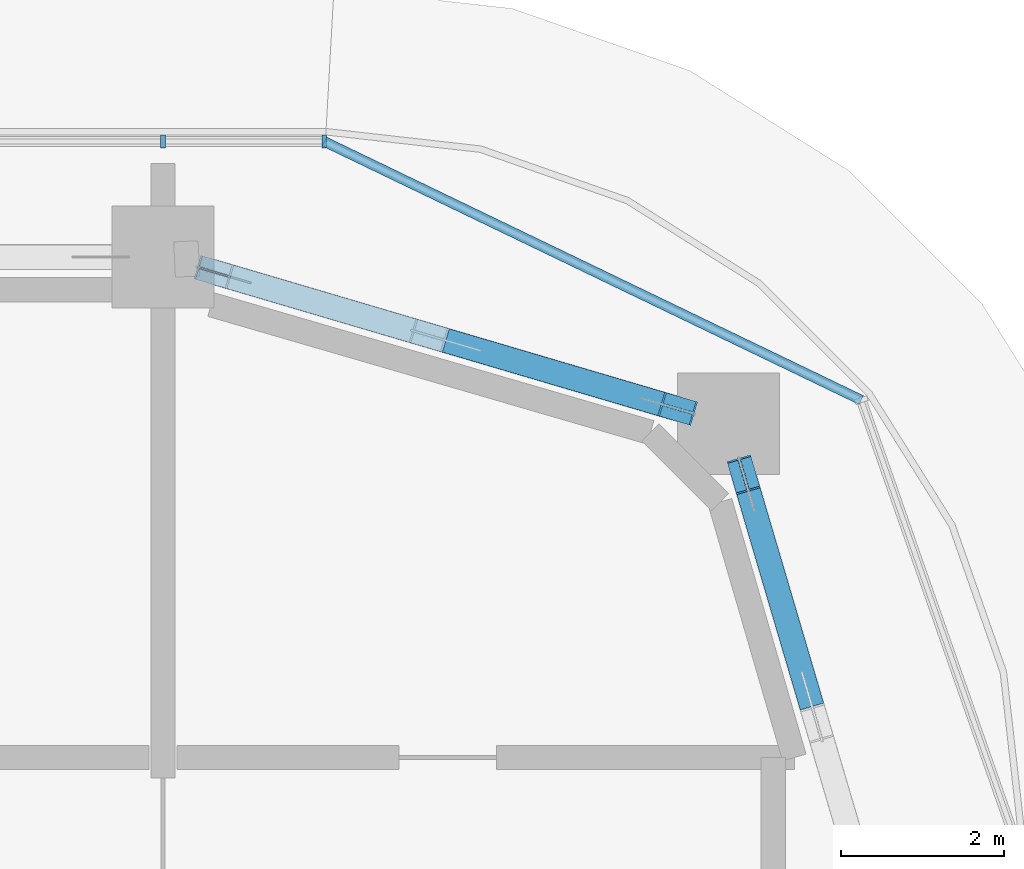
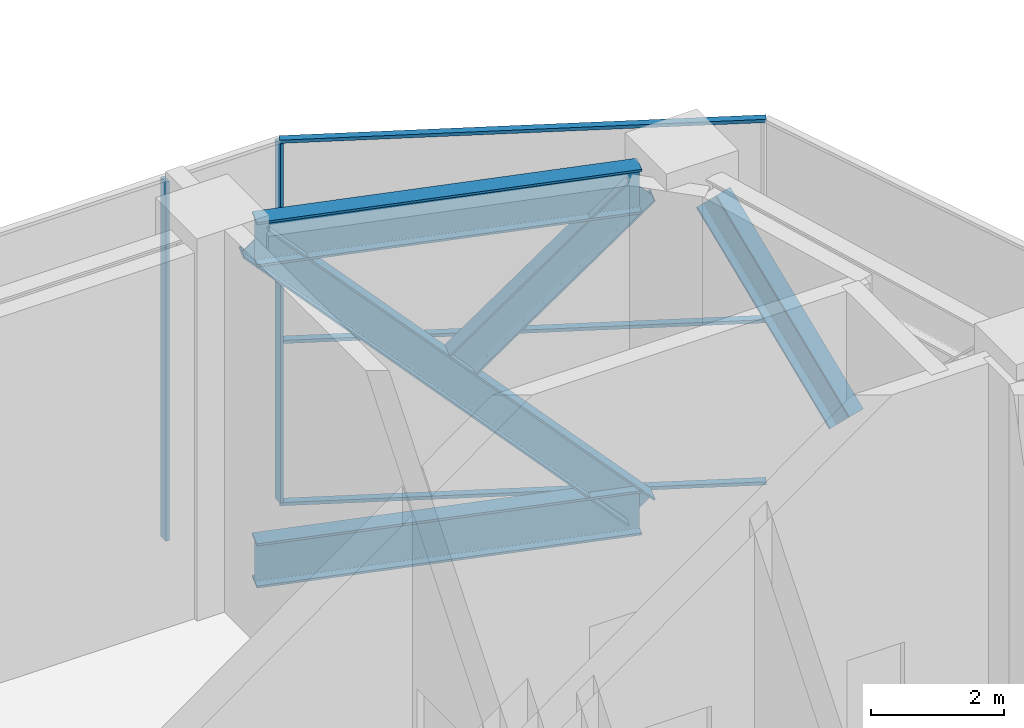
# One storey, part 9 of 35: 10 members, 2 elements without a shape of their own.
"""IFC4 building model written with IfcOpenShell, lengths in metres."""

from ifc_helpers import new_model, si_unit, direction, frame, origin, origin_2d, place, context, subcontext, project, spatial, rectangle, i_section, extrude, material, material_profile, profile_set, type_object, element, aggregate, save


model = new_model("IFC4")

# Units and contexts
model_context = context("Model", 3, precision=1e-05, world=origin(), true_north=direction((0.0, 1.0)))
body_context = subcontext(model_context, "Body", "Model", "MODEL_VIEW")
ifc_project = project(units=[si_unit("LENGTHUNIT", "METRE"), si_unit("AREAUNIT", "SQUARE_METRE"), si_unit("VOLUMEUNIT", "CUBIC_METRE"), si_unit("PLANEANGLEUNIT", "RADIAN"), si_unit("MASSUNIT", "GRAM", prefix="KILO")], contexts=[model_context])

# Site, building, storey
site_placement = place(None, origin())
site = spatial("IfcSite", under=ifc_project, at=site_placement, CompositionType="ELEMENT")
building_placement = place(site_placement, origin())
building = spatial("IfcBuilding", under=site, at=building_placement, Name="Ogive Portal Towers", CompositionType="ELEMENT")
storey_placement = place(building_placement, frame((0.0, 0.0, 135.199951171875)))
storey = spatial("IfcBuildingStorey", under=building, at=storey_placement, Name="L33", CompositionType="ELEMENT", Elevation=135.199951171875)

# Members
ifc_material_1 = material(Name="Steel S355", Category="steel")
ifc_material_profile_1 = material_profile(ifc_material_1, i_section(OverallWidth=0.300048828125, OverallDepth=0.60009765625, WebThickness=0.015380859375, FlangeThickness=0.030029296875, FilletRadius=0.027099609375, at=origin_2d()), Name="HEB 600")
ifc_profile_set_1 = profile_set([ifc_material_profile_1], Name="Steel S355")
member_type_1 = type_object("IfcMemberType", Name="BRACE HEB 600", PredefinedType="BRACE", material=ifc_profile_set_1)
member_1_placement = place(storey_placement, frame((93.414794921875, 34.179443359375, 3.56103515625), z_axis=(-0.200990623129, 0.681456317967, 0.70371873367), x_axis=(-0.959150984364, -0.282894660948, 0.0)))
element("IfcMember", 1, at=member_1_placement, inside=storey, type_object=member_type_1, Name="Belt truss diagonal", PredefinedType="BRACE", context=body_context, shape_type="SweptSolid", body=[
    extrude(i_section(OverallWidth=0.300048828125, OverallDepth=0.60009765625, WebThickness=0.015380859375, FlangeThickness=0.030029296875, FilletRadius=0.027099609375, at=origin_2d()), origin(), (0.0, 0.0, 1.0), 3.882080078125),
])
member_2_placement = place(storey_placement, frame((91.824951171875, 37.634521484375, 0.406982421875), z_axis=(-0.68146651795, 0.20099278034, 0.703708240085), x_axis=(-0.282893558779, -0.959151309441, 0.0)))
element("IfcMember", 2, at=member_2_placement, inside=storey, type_object=member_type_1, Name="Belt truss diagonal", PredefinedType="BRACE", context=body_context, shape_type="SweptSolid", body=[
    extrude(i_section(OverallWidth=0.300048828125, OverallDepth=0.60009765625, WebThickness=0.015380859375, FlangeThickness=0.030029296875, FilletRadius=0.027099609375, at=origin_2d()), origin(), (0.0, 0.0, 1.0), 8.3642578125),
])
member_3_placement = place(storey_placement, frame((91.824951171875, 37.634521484375, 6.29296875), z_axis=(-0.681456317967, 0.200990623129, -0.70371873367), x_axis=(-0.282894660948, -0.959150984364, 0.0)))
element("IfcMember", 3, at=member_3_placement, inside=storey, type_object=member_type_1, Name="Belt truss diagonal", PredefinedType="BRACE", context=body_context, shape_type="SweptSolid", body=[
    extrude(i_section(OverallWidth=0.300048828125, OverallDepth=0.60009765625, WebThickness=0.015380859375, FlangeThickness=0.030029296875, FilletRadius=0.027099609375, at=origin_2d()), origin(), (0.0, 0.0, 1.0), 3.882080078125),
])
ifc_material_profile_2 = material_profile(ifc_material_1, i_section(OverallWidth=0.302978515625, OverallDepth=0.81396484375, WebThickness=0.02099609375, FlangeThickness=0.0400390625, FilletRadius=0.030029296875, at=origin_2d()), Name="HEM 800")
ifc_profile_set_2 = profile_set([ifc_material_profile_2], Name="Steel S355")
member_type_2 = type_object("IfcMemberType", Name="CHORD HEM 800", PredefinedType="CHORD", material=ifc_profile_set_2)
for number, where, z_axis, x_axis, name in (
    (4, (91.824951171875, 37.634521484375, 0.406982421875), (-0.959151309441, 0.282893558779, 0.0), (-0.282893558779, -0.959151309441, 0.0), "Belt truss bottom chord"),
    (5, (91.824951171875, 37.634521484375, 6.29296875), (-0.959151309441, 0.282893558779, 0.0), (-0.282893558779, -0.959151309441, 0.0), "Belt truss top chord"),
):
    element("IfcMember", number, at=place(storey_placement, frame(where, z_axis=z_axis, x_axis=x_axis)), inside=storey, type_object=member_type_2, Name=name, PredefinedType="CHORD", context=body_context, shape_type="SweptSolid", body=[
        extrude(i_section(OverallWidth=0.302978515625, OverallDepth=0.81396484375, WebThickness=0.02099609375, FlangeThickness=0.0400390625, FilletRadius=0.030029296875, at=origin_2d()), origin(), (0.0, 0.0, 1.0), 5.942626953125),
    ])

# Curtain wall, members
ifc_material_2 = material(Name="Glass, clear low-iron insulated glazing", Category="glass")
curtain_wall_type = type_object("IfcCurtainWallType", Name="CW OBSERVATION WALL", PredefinedType="NOTDEFINED", material=ifc_material_2)
curtain_wall_1_placement = place(storey_placement, origin())
curtain_wall_1 = element("IfcCurtainWall", 6, at=curtain_wall_1_placement, inside=storey, type_object=curtain_wall_type, Name="A:L33:f12:cw0", PredefinedType="NOTDEFINED")
ifc_material_3 = material(Name="Aluminium 6063 anodised", Category="aluminium")
ifc_material_profile_3 = material_profile(ifc_material_3, rectangle(XDim=0.159912109375, YDim=0.06005859375, at=origin_2d()), Name="AL 60x160")
ifc_profile_set_3 = profile_set([ifc_material_profile_3], Name="Aluminium 6063 anodised")
member_type_3 = type_object("IfcMemberType", Name="CW MULLION 60x160", PredefinedType="MULLION", material=ifc_profile_set_3)
member_4_placement = place(storey_placement, frame((87.481689453125, 40.919921875, 0.06005859375), z_axis=(0.0, 0.0, 1.0), x_axis=(0.0, -1.0, 0.0)))
member_4 = element("IfcMember", 7, at=member_4_placement, type_object=member_type_3, Name="mullion", PredefinedType="MULLION", context=body_context, shape_type="SweptSolid", body=[
    extrude(rectangle(XDim=0.159912109375, YDim=0.06005859375, at=origin_2d()), origin(), (0.0, 0.0, 1.0), 6.580078125),
])
member_5_placement = place(storey_placement, frame((85.5, 40.919921875, 0.06005859375), z_axis=(0.0, 0.0, 1.0), x_axis=(0.0, -1.0, 0.0)))
member_5 = element("IfcMember", 8, at=member_5_placement, type_object=member_type_3, Name="mullion", PredefinedType="MULLION", context=body_context, shape_type="SweptSolid", body=[
    extrude(rectangle(XDim=0.159912109375, YDim=0.06005859375, at=origin_2d()), origin(), (0.0, 0.0, 1.0), 6.580078125),
])
aggregate(curtain_wall_1, [member_4, member_5])

curtain_wall_2_placement = place(storey_placement, origin())
curtain_wall_2 = element("IfcCurtainWall", 9, at=curtain_wall_2_placement, inside=storey, type_object=curtain_wall_type, Name="A:L33:f10:cwa", PredefinedType="NOTDEFINED")
ifc_material_profile_4 = material_profile(ifc_material_3, rectangle(XDim=0.1201171875, YDim=0.06005859375, at=origin_2d()), Name="AL 120x60")
ifc_profile_set_4 = profile_set([ifc_material_profile_4], Name="Aluminium 6063 anodised")
member_type_4 = type_object("IfcMemberType", Name="CW TRANSOM 60x120", PredefinedType="USERDEFINED", material=ifc_profile_set_4)
member_6_placement = place(storey_placement, frame((94.0810546875, 37.741943359375, 0.030029296875), z_axis=(-0.900974646757, 0.433871738997, 0.0), x_axis=(-0.433871738997, -0.900974646757, 0.0)))
member_6 = element("IfcMember", 10, at=member_6_placement, type_object=member_type_4, Name="transom", ObjectType="TRANSOM", PredefinedType="USERDEFINED", context=body_context, shape_type="SweptSolid", body=[
    extrude(rectangle(XDim=0.1201171875, YDim=0.06005859375, at=origin_2d()), origin(), (0.0, 0.0, 1.0), 7.32470703125),
])
member_7_placement = place(storey_placement, frame((94.0810546875, 37.741943359375, 3.0), z_axis=(-0.900974646757, 0.433871738997, 0.0), x_axis=(-0.433871738997, -0.900974646757, 0.0)))
member_7 = element("IfcMember", 11, at=member_7_placement, type_object=member_type_4, Name="transom", ObjectType="TRANSOM", PredefinedType="USERDEFINED", context=body_context, shape_type="SweptSolid", body=[
    extrude(rectangle(XDim=0.1201171875, YDim=0.06005859375, at=origin_2d()), origin(), (0.0, 0.0, 1.0), 7.32470703125),
])
member_8_placement = place(storey_placement, frame((94.0810546875, 37.741943359375, 6.670166015625), z_axis=(-0.900974646757, 0.433871738997, 0.0), x_axis=(-0.433871738997, -0.900974646757, 0.0)))
member_8 = element("IfcMember", 12, at=member_8_placement, type_object=member_type_4, Name="transom", ObjectType="TRANSOM", PredefinedType="USERDEFINED", context=body_context, shape_type="SweptSolid", body=[
    extrude(rectangle(XDim=0.1201171875, YDim=0.06005859375, at=origin_2d()), origin(), (0.0, 0.0, 1.0), 7.32470703125),
])
aggregate(curtain_wall_2, [member_6, member_7, member_8])

save(model, "model.ifc")
